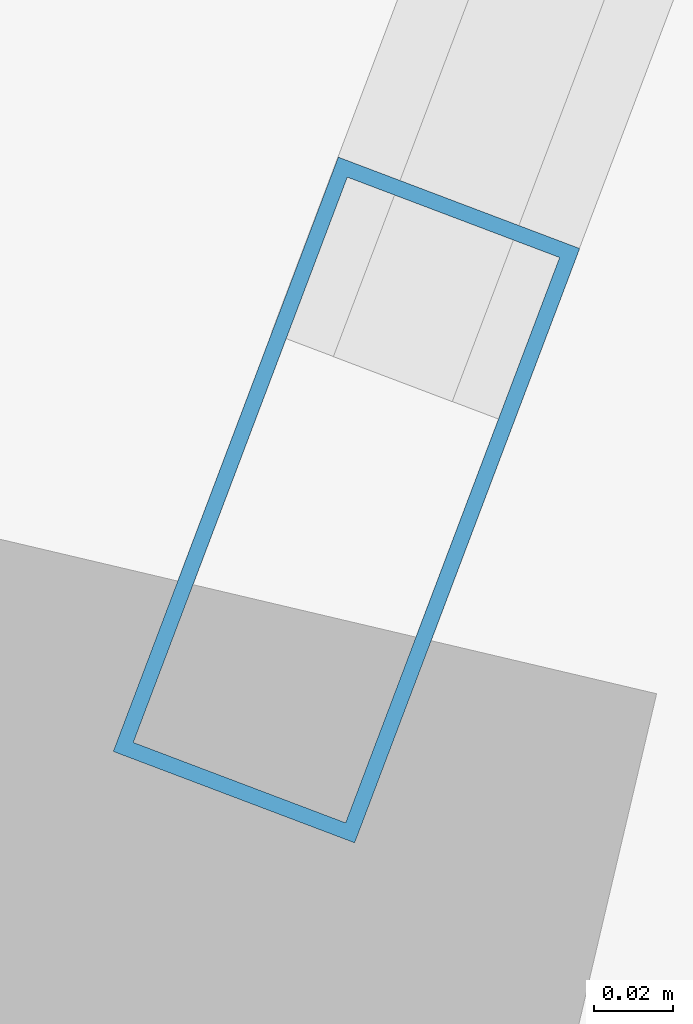
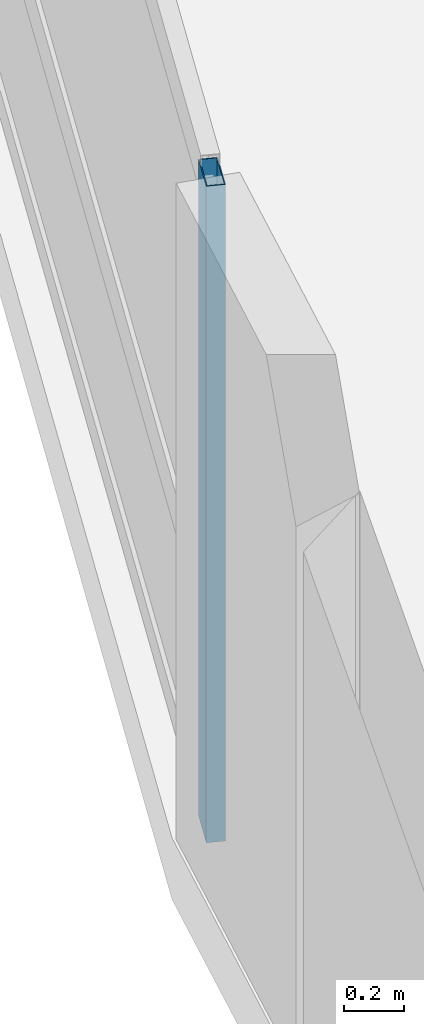
# One storey, part 2 of 25: 1 member, 1 element without a shape of its own.
"""IFC4 building model written with IfcOpenShell, lengths in metres."""

import ifcopenshell
import ifcopenshell.guid

model = None  # the IFC model being written
_history = None  # IfcOwnerHistory: only IFC2X3 demands one
_inside = {}  # id of a spatial element -> (the spatial element, [elements in it])
_under = {}  # id of a project, library or spatial element -> (it, [spatial elements below it])
_declared = {}  # id of a project -> (the project, [libraries it declares])
_typed = {}  # id of a type object -> (the type object, [elements of that type])
_made_of = {}  # id of a material, layer set ... -> (it, [elements and type objects made of it])


def new_model(schema):
    """Start an empty IFC model of exactly this schema.

    Asked for "IFC4X3", IfcOpenShell would pick the latest addendum, in which some entities
    have other attributes; the version numbers below select the first issue.
    IFC2X3 requires an IfcOwnerHistory on every rooted entity: one is made here for all.
    """
    global model, _history
    if schema == "IFC4X3":
        model = ifcopenshell.file(schema_version=(4, 3, 0, 0))
    else:
        model = ifcopenshell.file(schema=schema)
    _inside.clear()
    _under.clear()
    _declared.clear()
    _typed.clear()
    _made_of.clear()
    _history = None
    if model.schema == "IFC2X3":
        org = make("IfcOrganization", Name="unknown")
        user = make(
            "IfcPersonAndOrganization",
            ThePerson=make("IfcPerson", FamilyName="unknown"),
            TheOrganization=org,
        )
        app = make(
            "IfcApplication",
            ApplicationDeveloper=org,
            Version="unknown",
            ApplicationFullName="unknown",
            ApplicationIdentifier="unknown",
        )
        _history = make(
            "IfcOwnerHistory",
            OwningUser=user,
            OwningApplication=app,
            ChangeAction="ADDED",
            CreationDate=0,
        )
    return model


def make(cls, **values):
    """One entity of the class cls with the attributes given. An attribute that is None is left unset."""
    return model.create_entity(
        cls, **{name: value for name, value in values.items() if value is not None}
    )


def rooted(cls, **values):
    """An entity with a GlobalId (a new one), such as an element, a storey or a relation."""
    return make(cls, GlobalId=ifcopenshell.guid.new(), OwnerHistory=_history, **values)


def si_unit(unit_type, name, prefix=None):
    """IfcSIUnit, for example si_unit("LENGTHUNIT", "METRE", prefix="MILLI")."""
    return make("IfcSIUnit", UnitType=unit_type, Prefix=prefix, Name=name)


def assignment(units):
    """IfcUnitAssignment: the units of a project."""
    return None if units is None else make("IfcUnitAssignment", Units=units)


def point(xyz):
    """IfcCartesianPoint."""
    return None if xyz is None else make("IfcCartesianPoint", Coordinates=xyz)


def direction(xyz):
    """IfcDirection."""
    return None if xyz is None else make("IfcDirection", DirectionRatios=xyz)


def frame(location, z_axis=None, x_axis=None):
    """IfcAxis2Placement3D, a coordinate frame: its origin and axes. An axis left out is left unset."""
    return make(
        "IfcAxis2Placement3D",
        Location=point(location),
        Axis=direction(z_axis),
        RefDirection=direction(x_axis),
    )


def frame_2d(location, x_axis=None):
    """IfcAxis2Placement2D, a coordinate frame in the plane: its origin and x axis."""
    return make(
        "IfcAxis2Placement2D", Location=point(location), RefDirection=direction(x_axis)
    )


def origin():
    """The frame at (0, 0, 0) with its axes left unset."""
    return frame((0.0, 0.0, 0.0))


def origin_2d():
    """The frame at (0, 0) in the plane with its x axis left unset."""
    return frame_2d((0.0, 0.0))


def place(relative_to, where):
    """IfcLocalPlacement: puts the frame where relative to a parent placement (None: the world)."""
    return make(
        "IfcLocalPlacement", PlacementRelTo=relative_to, RelativePlacement=where
    )


def context(
    kind, dimensions, precision=None, world=None, true_north=None, identifier=None
):
    """IfcGeometricRepresentationContext, for example the 3D "Model" context."""
    return make(
        "IfcGeometricRepresentationContext",
        ContextIdentifier=identifier,
        ContextType=kind,
        CoordinateSpaceDimension=dimensions,
        Precision=precision,
        WorldCoordinateSystem=world,
        TrueNorth=true_north,
    )


def subcontext(parent, identifier, kind, view, scale=None):
    """IfcGeometricRepresentationSubContext, for example "Body" below "Model"."""
    return make(
        "IfcGeometricRepresentationSubContext",
        ContextIdentifier=identifier,
        ContextType=kind,
        ParentContext=parent,
        TargetScale=scale,
        TargetView=view,
    )


def project(units=None, contexts=None):
    """IfcProject with its units and contexts."""
    return rooted(
        "IfcProject",
        Name="project",
        RepresentationContexts=contexts,
        UnitsInContext=assignment(units),
    )


def spatial(cls, under=None, at=None, **own):
    """A site, building, storey or space (cls), placed at a placement, below another one or the project."""
    s = rooted(cls, ObjectPlacement=at, **own)
    if under is not None:
        _under.setdefault(under.id(), (under, []))[1].append(s)
    return s


def profile(cls, at=None, kind="AREA", **sizes):
    """A parametric profile (cls). Its sizes go by their IFC names, for example OverallWidth=200.0."""
    return make(cls, ProfileType=kind, Position=at, **sizes)


def hollow_rectangle(**sizes):
    """IfcRectangleHollowProfileDef."""
    return profile("IfcRectangleHollowProfileDef", **sizes)


def extrude(swept, where, along, depth):
    """IfcExtrudedAreaSolid: the profile swept, set in the frame where, extruded along a direction by depth."""
    return make(
        "IfcExtrudedAreaSolid",
        SweptArea=swept,
        Position=where,
        ExtrudedDirection=direction(along),
        Depth=depth,
    )


def shape(context_of_items, identifier, shape_type, items):
    """IfcShapeRepresentation: the items that make up one representation, for example the "Body"."""
    return make(
        "IfcShapeRepresentation",
        ContextOfItems=context_of_items,
        RepresentationIdentifier=identifier,
        RepresentationType=shape_type,
        Items=items,
    )


def material(Name=None, Category=None):
    """IfcMaterial."""
    return make("IfcMaterial", Name=Name, Category=Category)


def layer(
    of_material, thickness, ventilated=None, Name=None, Category=None, Priority=None
):
    """IfcMaterialLayer: one layer of a wall or slab, of a material (None: an air gap)."""
    return make(
        "IfcMaterialLayer",
        Material=of_material,
        LayerThickness=thickness,
        IsVentilated=ventilated,
        Name=Name,
        Category=Category,
        Priority=Priority,
    )


def layer_set(layers, Name=None):
    """IfcMaterialLayerSet."""
    return make("IfcMaterialLayerSet", MaterialLayers=layers, LayerSetName=Name)


def material_profile(
    of_material, cross_section, Name=None, Category=None, Priority=None
):
    """IfcMaterialProfile: a cross section and its material."""
    return make(
        "IfcMaterialProfile",
        Name=Name,
        Material=of_material,
        Profile=cross_section,
        Priority=Priority,
        Category=Category,
    )


def profile_set(profiles, Name=None, composite=None):
    """IfcMaterialProfileSet."""
    return make(
        "IfcMaterialProfileSet",
        Name=Name,
        MaterialProfiles=profiles,
        CompositeProfile=composite,
    )


def made_of(thing, what):
    """Note that an element or type object is made of a material, layer set ...; save() writes the relation."""
    if what is not None:
        _made_of.setdefault(what.id(), (what, []))[1].append(thing)
    return thing


def type_object(cls, material=None, **own):
    """A type object (cls), such as IfcWallType, which elements share."""
    return made_of(rooted(cls, **own), material)


def element(
    cls,
    number,
    at=None,
    inside=None,
    cuts=None,
    type_object=None,
    material=None,
    context=None,
    identifier="Body",
    shape_type=None,
    held_by="IfcProductDefinitionShape",
    body=None,
    shapes=None,
    **own,
):
    """One element of the class cls, such as IfcWall. Its Tag is "e" and its number.

    at: its placement. inside: the storey or other place that contains it. cuts: it is an
    opening in that element (IfcRelVoidsElement). A single representation is given by context,
    identifier, shape_type and body (its items); several are given by shapes. held_by: the class
    of the entity that holds the representations. save() writes the other relations.
    """
    e = rooted(cls, Tag="e%d" % number, ObjectPlacement=at, **own)
    if body is not None:
        shapes = [shape(context, identifier, shape_type, body)]
    if shapes is not None:
        e.Representation = make(held_by, Representations=shapes)
    if inside is not None:
        _inside.setdefault(inside.id(), (inside, []))[1].append(e)
    if cuts is not None:
        rooted(
            "IfcRelVoidsElement", RelatingBuildingElement=cuts, RelatedOpeningElement=e
        )
    if type_object is not None:
        _typed.setdefault(type_object.id(), (type_object, []))[1].append(e)
    return made_of(e, material)


def aggregate(whole, parts):
    """IfcRelAggregates: a whole, such as a stair, and the parts it consists of."""
    return rooted("IfcRelAggregates", RelatingObject=whole, RelatedObjects=parts)


def save(model, path):
    """Write the relations noted so far, then the file.

    IfcRelAggregates (storeys below a building ...), IfcRelContainedInSpatialStructure (elements
    in a storey), IfcRelDefinesByType, IfcRelAssociatesMaterial and IfcRelDeclares: one each for
    every whole, place, type object, material and project.
    """
    for whole, parts in _under.values():
        aggregate(whole, parts)
    for where, things in _inside.values():
        rooted(
            "IfcRelContainedInSpatialStructure",
            RelatedElements=things,
            RelatingStructure=where,
        )
    for kind, things in _typed.values():
        rooted("IfcRelDefinesByType", RelatedObjects=things, RelatingType=kind)
    for what, things in _made_of.values():
        rooted("IfcRelAssociatesMaterial", RelatedObjects=things, RelatingMaterial=what)
    for by, libraries in _declared.values():
        rooted("IfcRelDeclares", RelatingContext=by, RelatedDefinitions=libraries)
    model.write(path)


model = new_model("IFC4")

# Units and contexts
model_context = context("Model", 3, precision=1e-05, world=origin(), true_north=direction((0.0, 1.0)))
body_context = subcontext(model_context, "Body", "Model", "MODEL_VIEW")
ifc_project = project(units=[si_unit("LENGTHUNIT", "METRE"), si_unit("AREAUNIT", "SQUARE_METRE"), si_unit("VOLUMEUNIT", "CUBIC_METRE"), si_unit("PLANEANGLEUNIT", "RADIAN"), si_unit("MASSUNIT", "GRAM", prefix="KILO")], contexts=[model_context])

# Site, building, storey
site_placement = place(None, origin())
site = spatial("IfcSite", under=ifc_project, at=site_placement, CompositionType="ELEMENT")
building_placement = place(site_placement, origin())
building = spatial("IfcBuilding", under=site, at=building_placement, Name="Varnelok Gate Tower", CompositionType="ELEMENT")
storey_placement = place(building_placement, frame((0.0, 0.0, 113.199951171875)))
storey = spatial("IfcBuildingStorey", under=building, at=storey_placement, Name="L28", CompositionType="ELEMENT", Elevation=113.199951171875)

# Curtain wall, member
ifc_material = material(Name="Anodized Aluminum Alloy 6063-T6", Category="aluminium")
ifc_layer = layer(ifc_material, 0.179931640625)
ifc_layer_set = layer_set([ifc_layer], Name="Anodized Aluminum Alloy 6063-T6")
curtain_wall_type = type_object("IfcCurtainWallType", Name="CW3-HOTEL-VISION", PredefinedType="USERDEFINED", material=ifc_layer_set)
curtain_wall_placement = place(storey_placement, origin())
curtain_wall = element("IfcCurtainWall", 1, at=curtain_wall_placement, inside=storey, type_object=curtain_wall_type, Name="L28 West End Vision Curtain Wall", ObjectType="UNITISED CURTAIN WALL", PredefinedType="USERDEFINED")
ifc_material_profile = material_profile(ifc_material, hollow_rectangle(XDim=0.06494140625, YDim=0.159912109375, WallThickness=0.00390625, at=origin_2d()), Name="ALU160X65X4")
ifc_profile_set = profile_set([ifc_material_profile], Name="Anodized Aluminum Alloy 6063-T6")
member_type = type_object("IfcMemberType", Name="CW-MULL-160", PredefinedType="MULLION", material=ifc_profile_set)
member_placement = place(storey_placement, frame((-2.04345703125, 21.59521484375, 0.0), z_axis=(0.0, 0.0, 1.0), x_axis=(-0.935221323688, 0.354063660545, 0.0)))
member = element("IfcMember", 2, at=member_placement, type_object=member_type, Name="CW3 mullion 1", PredefinedType="MULLION", context=body_context, shape_type="SweptSolid", body=[
    extrude(hollow_rectangle(XDim=0.06494140625, YDim=0.159912109375, WallThickness=0.00390625, at=origin_2d()), origin(), (0.0, 0.0, 1.0), 2.66015625),
])
aggregate(curtain_wall, [member])

save(model, "model.ifc")
